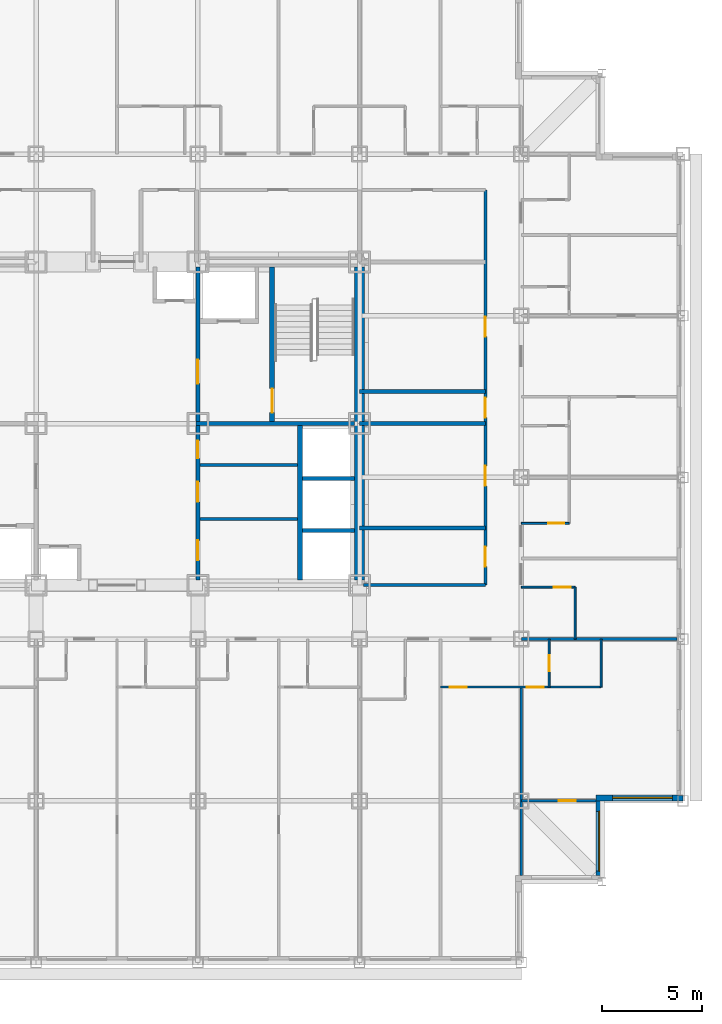
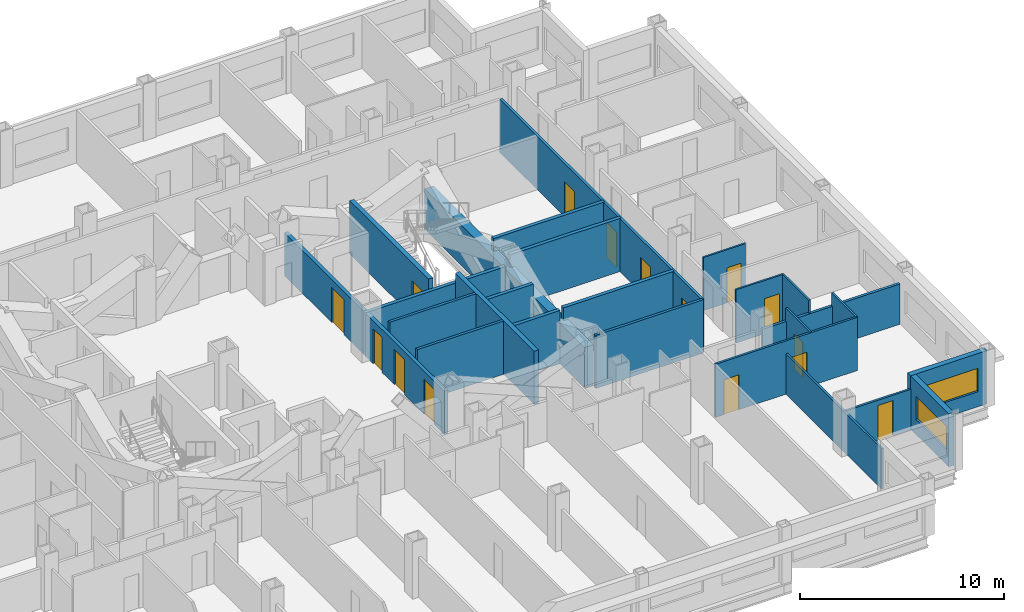
# One storey, part 7 of 12: 26 walls, 15 doors, 2 windows, 17 openings.
"""IFC4 building model written with IfcOpenShell, lengths in metres."""

from ifc_helpers import new_model, si_unit, direction, frame, frame_2d, origin, place, context, subcontext, project, spatial, rectangle, extrude, material, layer, layer_set, type_object, element, fill, save


model = new_model("IFC4")

# Units and contexts
model_context = context("Model", 3, precision=1e-05, world=origin(), true_north=direction((0.0, 1.0)))
body_context = subcontext(model_context, "Body", "Model", "MODEL_VIEW")
ifc_project = project(units=[si_unit("LENGTHUNIT", "METRE"), si_unit("AREAUNIT", "SQUARE_METRE"), si_unit("VOLUMEUNIT", "CUBIC_METRE"), si_unit("PLANEANGLEUNIT", "RADIAN"), si_unit("MASSUNIT", "GRAM", prefix="KILO")], contexts=[model_context])

# Site, building, storey
site_placement = place(None, origin())
site = spatial("IfcSite", under=ifc_project, at=site_placement, CompositionType="ELEMENT")
building_placement = place(site_placement, origin())
building = spatial("IfcBuilding", under=site, at=building_placement, Name="Kopane Lantern Tower", CompositionType="ELEMENT")
storey_placement = place(building_placement, frame((0.0, 0.0, 144.199951171875)))
storey = spatial("IfcBuildingStorey", under=building, at=storey_placement, Name="L37", CompositionType="ELEMENT", Elevation=144.199951171875)

# Wall, openings, doors
ifc_material_1 = material(Name="Gypsum board on steel studs", Category="steel")
ifc_layer_1 = layer(ifc_material_1, 0.1201171875)
ifc_layer_set_1 = layer_set([ifc_layer_1], Name="APARTMENT INTERNAL WALL 120")
wall_type_1 = type_object("IfcWallType", Name="APARTMENT INTERNAL WALL 120", PredefinedType="PARTITIONING", material=ifc_layer_set_1)
wall_1_placement = place(storey_placement, frame((44.550048828125, 19.199951171875, 0.0), z_axis=(0.0, 0.0, 1.0), x_axis=(1.0, 0.0, 0.0)))
wall_1 = element("IfcWall", 1, at=wall_1_placement, inside=storey, type_object=wall_type_1, Name="Apartment Internal Wall 120 L37", PredefinedType="PARTITIONING", context=body_context, shape_type="SweptSolid", body=[
    extrude(rectangle(XDim=8.050048828125, YDim=0.1201171875, at=frame_2d((4.02490234375, 0.0))), origin(), (0.0, 0.0, 1.0), 3.18994140625),
])
opening_1_placement = place(wall_1_placement, frame((0.47509765625, 0.0, 0.0)))
opening_1 = element("IfcOpeningElement", 2, at=opening_1_placement, cuts=wall_1, Name="Opening L37-062", PredefinedType="OPENING", context=body_context, shape_type="SweptSolid", body=[
    extrude(rectangle(XDim=0.85009765625, YDim=2.10009765625, at=frame_2d((0.425048828125, 1.050048828125))), frame((0.0, 0.070068359375, 0.0), z_axis=(0.0, -1.0, 0.0), x_axis=(1.0, 0.0, 0.0)), (0.0, 0.0, 1.0), 0.14013671875),
])
opening_2_placement = place(wall_1_placement, frame((4.324951171875, 0.0, 0.0)))
opening_2 = element("IfcOpeningElement", 3, at=opening_2_placement, cuts=wall_1, Name="Opening L37-064", PredefinedType="OPENING", context=body_context, shape_type="SweptSolid", body=[
    extrude(rectangle(XDim=0.85009765625, YDim=2.10009765625, at=frame_2d((0.425048828125, 1.050048828125))), frame((0.0, 0.070068359375, 0.0), z_axis=(0.0, -1.0, 0.0), x_axis=(1.0, 0.0, 0.0)), (0.0, 0.0, 1.0), 0.14013671875),
])
ifc_material_2 = material(Name="Timber door set", Category="wood")
door_type_1 = type_object("IfcDoorType", Name="DOOR D4 850x2100", OperationType="SINGLE_SWING_LEFT", PredefinedType="DOOR", material=ifc_material_2)
door_1_placement = place(opening_1_placement, origin())
door_1 = element("IfcDoor", 4, at=door_1_placement, inside=storey, type_object=door_type_1, Name="Door L37-062", OperationType="SINGLE_SWING_LEFT", OverallHeight=2.10009765625, OverallWidth=0.85009765625, PredefinedType="DOOR", context=body_context, shape_type="SweptSolid", body=[
    extrude(rectangle(XDim=0.85009765625, YDim=2.10009765625, at=frame_2d((0.425048828125, 1.050048828125))), frame((0.0, 0.02490234375, 0.0), z_axis=(0.0, -1.0, 0.0), x_axis=(1.0, 0.0, 0.0)), (0.0, 0.0, 1.0), 0.050048828125),
])
fill(opening_1, door_1)
door_2_placement = place(opening_2_placement, origin())
door_2 = element("IfcDoor", 5, at=door_2_placement, inside=storey, type_object=door_type_1, Name="Door L37-064", OperationType="SINGLE_SWING_RIGHT", OverallHeight=2.10009765625, OverallWidth=0.85009765625, PredefinedType="DOOR", context=body_context, shape_type="SweptSolid", body=[
    extrude(rectangle(XDim=0.85009765625, YDim=2.10009765625, at=frame_2d((0.425048828125, 1.050048828125))), frame((0.0, 0.02490234375, 0.0), z_axis=(0.0, -1.0, 0.0), x_axis=(1.0, 0.0, 0.0)), (0.0, 0.0, 1.0), 0.050048828125),
])
fill(opening_2, door_2)

# Wall
wall_2_placement = place(storey_placement, frame((48.60009765625, 19.199951171875, 0.0), z_axis=(0.0, 0.0, 1.0), x_axis=(0.0, -1.0, 0.0)))
element("IfcWall", 6, at=wall_2_placement, inside=storey, type_object=wall_type_1, Name="Apartment Internal Wall 120 L37", PredefinedType="PARTITIONING", context=body_context, shape_type="SweptSolid", body=[
    extrude(rectangle(XDim=9.449951171875, YDim=0.1201171875, at=frame_2d((4.72509765625, 0.0))), origin(), (0.0, 0.0, 1.0), 2.420166015625),
])

# Wall, opening, door
wall_3_placement = place(storey_placement, frame((48.60009765625, 13.5, 0.0), z_axis=(0.0, 0.0, 1.0), x_axis=(1.0, 0.0, 0.0)))
wall_3 = element("IfcWall", 7, at=wall_3_placement, inside=storey, type_object=wall_type_1, Name="Apartment Internal Wall 120 L37", PredefinedType="PARTITIONING", context=body_context, shape_type="SweptSolid", body=[
    extrude(rectangle(XDim=3.75, YDim=0.1201171875, at=frame_2d((1.875, 0.0))), origin(), (0.0, 0.0, 1.0), 2.420166015625),
])
opening_3_placement = place(wall_3_placement, frame((1.875, 0.0, 0.0)))
opening_3 = element("IfcOpeningElement", 8, at=opening_3_placement, cuts=wall_3, Name="Opening L37-065", PredefinedType="OPENING", context=body_context, shape_type="SweptSolid", body=[
    extrude(rectangle(XDim=0.85009765625, YDim=2.10009765625, at=frame_2d((0.425048828125, 1.050048828125))), frame((0.0, 0.070068359375, 0.0), z_axis=(0.0, -1.0, 0.0), x_axis=(1.0, 0.0, 0.0)), (0.0, 0.0, 1.0), 0.14013671875),
])
door_3_placement = place(opening_3_placement, origin())
door_3 = element("IfcDoor", 9, at=door_3_placement, inside=storey, type_object=door_type_1, Name="Door L37-065", OperationType="SINGLE_SWING_LEFT", OverallHeight=2.10009765625, OverallWidth=0.85009765625, PredefinedType="DOOR", context=body_context, shape_type="SweptSolid", body=[
    extrude(rectangle(XDim=0.85009765625, YDim=2.10009765625, at=frame_2d((0.425048828125, 1.050048828125))), frame((0.0, 0.02490234375, 0.0), z_axis=(0.0, -1.0, 0.0), x_axis=(1.0, 0.0, 0.0)), (0.0, 0.0, 1.0), 0.050048828125),
])
fill(opening_3, door_3)

# Wall
ifc_material_3 = material(Name="Moisture-resistant board on steel studs", Category="steel")
ifc_layer_2 = layer(ifc_material_3, 0.10009765625)
ifc_layer_set_2 = layer_set([ifc_layer_2], Name="BATHROOM WALL 100")
wall_type_2 = type_object("IfcWallType", Name="BATHROOM WALL 100", PredefinedType="PARTITIONING", material=ifc_layer_set_2)
wall_4_placement = place(storey_placement, frame((51.300048828125, 21.60009765625, 0.0), z_axis=(0.0, 0.0, 1.0), x_axis=(0.0, 1.0, 0.0)))
element("IfcWall", 10, at=wall_4_placement, inside=storey, type_object=wall_type_2, Name="Bathroom Wall 100 L37", PredefinedType="PARTITIONING", context=body_context, shape_type="SweptSolid", body=[
    extrude(rectangle(XDim=2.599853515625, YDim=0.10009765625, at=frame_2d((1.2998046875, 0.0))), origin(), (0.0, 0.0, 1.0), 3.18994140625),
])

# Wall, opening, door
wall_5_placement = place(storey_placement, frame((48.60009765625, 24.199951171875, 0.0), z_axis=(0.0, 0.0, 1.0), x_axis=(1.0, 0.0, 0.0)))
wall_5 = element("IfcWall", 11, at=wall_5_placement, inside=storey, type_object=wall_type_2, Name="Bathroom Wall 100 L37", PredefinedType="PARTITIONING", context=body_context, shape_type="SweptSolid", body=[
    extrude(rectangle(XDim=2.699951171875, YDim=0.10009765625, at=frame_2d((1.35009765625, 0.0))), origin(), (0.0, 0.0, 1.0), 3.18994140625),
])
opening_4_placement = place(wall_5_placement, frame((1.625, 0.0, 0.0)))
opening_4 = element("IfcOpeningElement", 12, at=opening_4_placement, cuts=wall_5, Name="Opening L37-045", PredefinedType="OPENING", context=body_context, shape_type="SweptSolid", body=[
    extrude(rectangle(XDim=0.85009765625, YDim=2.10009765625, at=frame_2d((0.425048828125, 1.050048828125))), frame((0.0, 0.06005859375, 0.0), z_axis=(0.0, -1.0, 0.0), x_axis=(1.0, 0.0, 0.0)), (0.0, 0.0, 1.0), 0.1201171875),
])
door_4_placement = place(opening_4_placement, origin())
door_4 = element("IfcDoor", 13, at=door_4_placement, inside=storey, type_object=door_type_1, Name="Door L37-045", OperationType="SINGLE_SWING_LEFT", OverallHeight=2.10009765625, OverallWidth=0.85009765625, PredefinedType="DOOR", context=body_context, shape_type="SweptSolid", body=[
    extrude(rectangle(XDim=0.85009765625, YDim=2.10009765625, at=frame_2d((0.425048828125, 1.050048828125))), frame((0.0, 0.02490234375, 0.0), z_axis=(0.0, -1.0, 0.0), x_axis=(1.0, 0.0, 0.0)), (0.0, 0.0, 1.0), 0.050048828125),
])
fill(opening_4, door_4)

wall_6_placement = place(storey_placement, frame((48.60009765625, 27.39990234375, 0.0), z_axis=(0.0, 0.0, 1.0), x_axis=(1.0, 0.0, 0.0)))
wall_6 = element("IfcWall", 14, at=wall_6_placement, inside=storey, type_object=wall_type_2, Name="Bathroom Wall 100 L37", PredefinedType="PARTITIONING", context=body_context, shape_type="SweptSolid", body=[
    extrude(rectangle(XDim=2.39990234375, YDim=0.10009765625, at=frame_2d((1.199951171875, 0.0))), origin(), (0.0, 0.0, 1.0), 3.18994140625),
])
opening_5_placement = place(wall_6_placement, frame((1.35009765625, 0.0, 0.0)))
opening_5 = element("IfcOpeningElement", 15, at=opening_5_placement, cuts=wall_6, Name="Opening L37-047", PredefinedType="OPENING", context=body_context, shape_type="SweptSolid", body=[
    extrude(rectangle(XDim=0.800048828125, YDim=2.10009765625, at=frame_2d((0.39990234375, 1.050048828125))), frame((0.0, 0.06005859375, 0.0), z_axis=(0.0, -1.0, 0.0), x_axis=(1.0, 0.0, 0.0)), (0.0, 0.0, 1.0), 0.1201171875),
])
ifc_material_4 = material(Name="Timber door set", Category="wood")
door_type_2 = type_object("IfcDoorType", Name="DOOR D2 800x2100", OperationType="SINGLE_SWING_LEFT", PredefinedType="DOOR", material=ifc_material_4)
door_5_placement = place(opening_5_placement, origin())
door_5 = element("IfcDoor", 16, at=door_5_placement, inside=storey, type_object=door_type_2, Name="Door L37-047", OperationType="SINGLE_SWING_RIGHT", OverallHeight=2.10009765625, OverallWidth=0.800048828125, PredefinedType="DOOR", context=body_context, shape_type="SweptSolid", body=[
    extrude(rectangle(XDim=0.800048828125, YDim=2.10009765625, at=frame_2d((0.39990234375, 1.050048828125))), frame((0.0, 0.02490234375, 0.0), z_axis=(0.0, -1.0, 0.0), x_axis=(1.0, 0.0, 0.0)), (0.0, 0.0, 1.0), 0.050048828125),
])
fill(opening_5, door_5)

wall_7_placement = place(storey_placement, frame((50.0, 21.60009765625, 0.0), z_axis=(0.0, 0.0, 1.0), x_axis=(0.0, -1.0, 0.0)))
wall_7 = element("IfcWall", 17, at=wall_7_placement, inside=storey, type_object=wall_type_2, Name="Bathroom Wall 100 L37", PredefinedType="PARTITIONING", context=body_context, shape_type="SweptSolid", body=[
    extrude(rectangle(XDim=2.400146484375, YDim=0.10009765625, at=frame_2d((1.2001953125, 0.0))), origin(), (0.0, 0.0, 1.0), 3.18994140625),
])
opening_6_placement = place(wall_7_placement, frame((0.800048828125, 0.0, 0.0)))
opening_6 = element("IfcOpeningElement", 18, at=opening_6_placement, cuts=wall_7, Name="Opening L37-063", PredefinedType="OPENING", context=body_context, shape_type="SweptSolid", body=[
    extrude(rectangle(XDim=0.800048828125, YDim=2.10009765625, at=frame_2d((0.39990234375, 1.050048828125))), frame((0.0, 0.06005859375, 0.0), z_axis=(0.0, -1.0, 0.0), x_axis=(1.0, 0.0, 0.0)), (0.0, 0.0, 1.0), 0.1201171875),
])
door_6_placement = place(opening_6_placement, origin())
door_6 = element("IfcDoor", 19, at=door_6_placement, inside=storey, type_object=door_type_2, Name="Door L37-063", OperationType="SINGLE_SWING_LEFT", OverallHeight=2.10009765625, OverallWidth=0.800048828125, PredefinedType="DOOR", context=body_context, shape_type="SweptSolid", body=[
    extrude(rectangle(XDim=0.800048828125, YDim=2.10009765625, at=frame_2d((0.39990234375, 1.050048828125))), frame((0.0, 0.02490234375, 0.0), z_axis=(0.0, -1.0, 0.0), x_axis=(1.0, 0.0, 0.0)), (0.0, 0.0, 1.0), 0.050048828125),
])
fill(opening_6, door_6)

# Walls
wall_8_placement = place(storey_placement, frame((52.60009765625, 21.60009765625, 0.0), z_axis=(0.0, 0.0, 1.0), x_axis=(0.0, -1.0, 0.0)))
element("IfcWall", 20, at=wall_8_placement, inside=storey, type_object=wall_type_2, Name="Bathroom Wall 100 L37", PredefinedType="PARTITIONING", context=body_context, shape_type="SweptSolid", body=[
    extrude(rectangle(XDim=2.400146484375, YDim=0.10009765625, at=frame_2d((1.2001953125, 0.0))), origin(), (0.0, 0.0, 1.0), 3.18994140625),
])
ifc_material_5 = material(Name="Gypsum shaft wall EI 120", Category="gypsum")
ifc_layer_3 = layer(ifc_material_5, 0.5)
ifc_layer_set_3 = layer_set([ifc_layer_3], Name="CORE PERIMETER WALL 500 EI 120")
wall_type_3 = type_object("IfcWallType", Name="CORE PERIMETER WALL 500 EI 120", PredefinedType="SOLIDWALL", material=ifc_layer_set_3)
wall_9_placement = place(storey_placement, frame((40.5, 24.550048828125, 0.0), z_axis=(0.0, 0.0, 1.0), x_axis=(0.0, 1.0, 0.0)))
element("IfcWall", 21, at=wall_9_placement, inside=storey, type_object=wall_type_3, Name="Core shaft wall L37 PE", PredefinedType="SOLIDWALL", context=body_context, shape_type="SweptSolid", body=[
    extrude(rectangle(XDim=15.699951171875, YDim=0.5, at=frame_2d((7.85009765625, 0.0))), origin(), (0.0, 0.0, 1.0), 2.420166015625),
])
ifc_material_6 = material(Name="Gypsum partition EI 60", Category="gypsum")
ifc_layer_4 = layer(ifc_material_6, 0.14990234375)
ifc_layer_set_4 = layer_set([ifc_layer_4], Name="CORE ROOM PARTITION 150 EI 60")
wall_type_4 = type_object("IfcWallType", Name="CORE ROOM PARTITION 150 EI 60", PredefinedType="PARTITIONING", material=ifc_layer_set_4)
for number, where, z_axis, x_axis, name in (
    (22, (32.5, 27.625, 0.0), (0.0, 0.0, 1.0), (1.0, 0.0, 0.0), "Core room partition L37 E1"),
    (23, (32.5, 30.324951171875, 0.0), (0.0, 0.0, 1.0), (1.0, 0.0, 0.0), "Core room partition L37 E2"),
):
    element("IfcWall", number, at=place(storey_placement, frame(where, z_axis=z_axis, x_axis=x_axis)), inside=storey, type_object=wall_type_4, Name=name, PredefinedType="PARTITIONING", context=body_context, shape_type="SweptSolid", body=[
        extrude(rectangle(XDim=4.89990234375, YDim=0.14990234375, at=frame_2d((2.449951171875, 0.0))), origin(), (0.0, 0.0, 1.0), 3.18994140625),
    ])

# Wall, openings, doors
ifc_material_7 = material(Name="Gypsum partition EI 60", Category="gypsum")
ifc_layer_5 = layer(ifc_material_7, 0.199951171875)
ifc_layer_set_5 = layer_set([ifc_layer_5], Name="CORE ROOM WALL 200 EI 60")
wall_type_5 = type_object("IfcWallType", Name="CORE ROOM WALL 200 EI 60", PredefinedType="PARTITIONING", material=ifc_layer_set_5)
wall_10_placement = place(storey_placement, frame((32.39990234375, 24.550048828125, 0.0), z_axis=(0.0, 0.0, 1.0), x_axis=(0.0, 1.0, 0.0)))
wall_10 = element("IfcWall", 24, at=wall_10_placement, inside=storey, type_object=wall_type_5, Name="Core room wall L37 XE", PredefinedType="PARTITIONING", context=body_context, shape_type="SweptSolid", body=[
    extrude(rectangle(XDim=7.75, YDim=0.199951171875, at=frame_2d((3.875, 0.0))), origin(), (0.0, 0.0, 1.0), 2.577880859375),
])
opening_7_placement = place(wall_10_placement, frame((1.0, 0.0, 0.0)))
opening_7 = element("IfcOpeningElement", 25, at=opening_7_placement, cuts=wall_10, Name="Opening 37.C20", PredefinedType="OPENING", context=body_context, shape_type="SweptSolid", body=[
    extrude(rectangle(XDim=1.0, YDim=2.10009765625, at=frame_2d((0.5, 1.050048828125))), frame((0.0, 0.10986328125, 0.0), z_axis=(0.0, -1.0, 0.0), x_axis=(1.0, 0.0, 0.0)), (0.0, 0.0, 1.0), 0.219970703125),
])
opening_8_placement = place(wall_10_placement, frame((3.925048828125, 0.0, 0.0)))
opening_8 = element("IfcOpeningElement", 26, at=opening_8_placement, cuts=wall_10, Name="Opening 37.C21", PredefinedType="OPENING", context=body_context, shape_type="SweptSolid", body=[
    extrude(rectangle(XDim=1.0, YDim=2.10009765625, at=frame_2d((0.5, 1.050048828125))), frame((0.0, 0.10986328125, 0.0), z_axis=(0.0, -1.0, 0.0), x_axis=(1.0, 0.0, 0.0)), (0.0, 0.0, 1.0), 0.219970703125),
])
opening_9_placement = place(wall_10_placement, frame((6.10009765625, 0.0, 0.0)))
opening_9 = element("IfcOpeningElement", 27, at=opening_9_placement, cuts=wall_10, Name="Opening 37.C22", PredefinedType="OPENING", context=body_context, shape_type="SweptSolid", body=[
    extrude(rectangle(XDim=0.89990234375, YDim=2.10009765625, at=frame_2d((0.449951171875, 1.050048828125))), frame((0.0, 0.10986328125, 0.0), z_axis=(0.0, -1.0, 0.0), x_axis=(1.0, 0.0, 0.0)), (0.0, 0.0, 1.0), 0.219970703125),
])
ifc_material_8 = material(Name="Steel door set", Category="steel")
door_type_3 = type_object("IfcDoorType", Name="CORE ROOM DOOR 1000x2100 FD30S", OperationType="SINGLE_SWING_RIGHT", PredefinedType="DOOR", material=ifc_material_8)
door_7_placement = place(opening_7_placement, origin())
door_7 = element("IfcDoor", 28, at=door_7_placement, inside=storey, type_object=door_type_3, Name="Door Butler pantry L37", OperationType="SINGLE_SWING_LEFT", OverallHeight=2.10009765625, OverallWidth=1.0, PredefinedType="DOOR", context=body_context, shape_type="SweptSolid", body=[
    extrude(rectangle(XDim=1.0, YDim=2.10009765625, at=frame_2d((0.5, 1.050048828125))), frame((0.0, 0.02490234375, 0.0), z_axis=(0.0, -1.0, 0.0), x_axis=(1.0, 0.0, 0.0)), (0.0, 0.0, 1.0), 0.050048828125),
])
fill(opening_7, door_7)
door_8_placement = place(opening_8_placement, origin())
door_8 = element("IfcDoor", 29, at=door_8_placement, inside=storey, type_object=door_type_3, Name="Door Ice and vending room L37", OperationType="SINGLE_SWING_LEFT", OverallHeight=2.10009765625, OverallWidth=1.0, PredefinedType="DOOR", context=body_context, shape_type="SweptSolid", body=[
    extrude(rectangle(XDim=1.0, YDim=2.10009765625, at=frame_2d((0.5, 1.050048828125))), frame((0.0, 0.02490234375, 0.0), z_axis=(0.0, -1.0, 0.0), x_axis=(1.0, 0.0, 0.0)), (0.0, 0.0, 1.0), 0.050048828125),
])
fill(opening_8, door_8)
ifc_material_9 = material(Name="Steel door set", Category="steel")
door_type_4 = type_object("IfcDoorType", Name="CORE ROOM DOOR 900x2100 FD60", OperationType="SINGLE_SWING_LEFT", PredefinedType="DOOR", material=ifc_material_9)
door_9_placement = place(opening_9_placement, origin())
door_9 = element("IfcDoor", 30, at=door_9_placement, inside=storey, type_object=door_type_4, Name="Door IT room L37", OperationType="SINGLE_SWING_RIGHT", OverallHeight=2.10009765625, OverallWidth=0.89990234375, PredefinedType="DOOR", context=body_context, shape_type="SweptSolid", body=[
    extrude(rectangle(XDim=0.89990234375, YDim=2.10009765625, at=frame_2d((0.449951171875, 1.050048828125))), frame((0.0, 0.02490234375, 0.0), z_axis=(0.0, -1.0, 0.0), x_axis=(1.0, 0.0, 0.0)), (0.0, 0.0, 1.0), 0.050048828125),
])
fill(opening_9, door_9)

# Wall
ifc_material_10 = material(Name="Gypsum shaft wall EI 120", Category="gypsum")
ifc_layer_6 = layer(ifc_material_10, 0.25)
ifc_layer_set_6 = layer_set([ifc_layer_6], Name="CORE SHAFT WALL 250 EI 120")
wall_type_6 = type_object("IfcWallType", Name="CORE SHAFT WALL 250 EI 120", PredefinedType="SOLIDWALL", material=ifc_layer_set_6)
wall_11_placement = place(storey_placement, frame((37.52490234375, 24.550048828125, 0.0), z_axis=(0.0, 0.0, 1.0), x_axis=(0.0, 1.0, 0.0)))
element("IfcWall", 31, at=wall_11_placement, inside=storey, type_object=wall_type_6, Name="Core shaft wall L37 XLR", PredefinedType="SOLIDWALL", context=body_context, shape_type="SweptSolid", body=[
    extrude(rectangle(XDim=7.75, YDim=0.25, at=frame_2d((3.875, 0.0))), origin(), (0.0, 0.0, 1.0), 3.18994140625),
])

# Wall, opening, door
wall_12_placement = place(storey_placement, frame((36.125, 32.5, 0.0), z_axis=(0.0, 0.0, 1.0), x_axis=(0.0, 1.0, 0.0)))
wall_12 = element("IfcWall", 32, at=wall_12_placement, inside=storey, type_object=wall_type_6, Name="Core shaft wall L37 XST2", PredefinedType="SOLIDWALL", context=body_context, shape_type="SweptSolid", body=[
    extrude(rectangle(XDim=7.75, YDim=0.25, at=frame_2d((3.875, 0.0))), origin(), (0.0, 0.0, 1.0), 3.18994140625),
])
opening_10_placement = place(wall_12_placement, frame((0.449951171875, 0.0, 0.0)))
opening_10 = element("IfcOpeningElement", 33, at=opening_10_placement, cuts=wall_12, Name="Opening 37.SD2", PredefinedType="OPENING", context=body_context, shape_type="SweptSolid", body=[
    extrude(rectangle(XDim=1.199951171875, YDim=2.10009765625, at=frame_2d((0.60009765625, 1.050048828125))), frame((0.0, 0.135009765625, 0.0), z_axis=(0.0, -1.0, 0.0), x_axis=(1.0, 0.0, 0.0)), (0.0, 0.0, 1.0), 0.27001953125),
])
ifc_material_11 = material(Name="Steel door set", Category="steel")
door_type_5 = type_object("IfcDoorType", Name="STAIR DOOR 1200x2100 FD60S", OperationType="SINGLE_SWING_LEFT", PredefinedType="DOOR", material=ifc_material_11)
door_10_placement = place(opening_10_placement, origin())
door_10 = element("IfcDoor", 34, at=door_10_placement, inside=storey, type_object=door_type_5, Name="Stair door ST2 L37", OperationType="SINGLE_SWING_RIGHT", OverallHeight=2.10009765625, OverallWidth=1.199951171875, PredefinedType="DOOR", context=body_context, shape_type="SweptSolid", body=[
    extrude(rectangle(XDim=1.199951171875, YDim=2.10009765625, at=frame_2d((0.60009765625, 1.050048828125))), frame((0.0, 0.02490234375, 0.0), z_axis=(0.0, -1.0, 0.0), x_axis=(1.0, 0.0, 0.0)), (0.0, 0.0, 1.0), 0.050048828125),
])
fill(opening_10, door_10)

# Wall, openings, doors
ifc_material_12 = material(Name="Gypsum board on steel studs", Category="steel")
ifc_layer_7 = layer(ifc_material_12, 0.14990234375)
ifc_layer_set_7 = layer_set([ifc_layer_7], Name="CORRIDOR WALL 150 EI 60")
wall_type_7 = type_object("IfcWallType", Name="CORRIDOR WALL 150 EI 60", PredefinedType="PARTITIONING", material=ifc_layer_set_7)
wall_13_placement = place(storey_placement, frame((46.800048828125, 24.300048828125, 0.0), z_axis=(0.0, 0.0, 1.0), x_axis=(0.0, 1.0, 0.0)))
wall_13 = element("IfcWall", 35, at=wall_13_placement, inside=storey, type_object=wall_type_7, Name="Corridor Wall 150 Ei 60 L37", PredefinedType="PARTITIONING", context=body_context, shape_type="SweptSolid", body=[
    extrude(rectangle(XDim=19.800048828125, YDim=0.14990234375, at=frame_2d((9.89990234375, 0.0))), origin(), (0.0, 0.0, 1.0), 3.18994140625),
])
opening_11_placement = place(wall_13_placement, frame((0.9287109375, 0.0, 0.0)))
opening_11 = element("IfcOpeningElement", 36, at=opening_11_placement, cuts=wall_13, Name="Opening L37-003", PredefinedType="OPENING", context=body_context, shape_type="SweptSolid", body=[
    extrude(rectangle(XDim=1.0, YDim=2.10009765625, at=frame_2d((0.5, 1.050048828125))), frame((0.0, 0.0849609375, 0.0), z_axis=(0.0, -1.0, 0.0), x_axis=(1.0, 0.0, 0.0)), (0.0, 0.0, 1.0), 0.169921875),
])
opening_12_placement = place(wall_13_placement, frame((4.978515625, 0.0, 0.0)))
opening_12 = element("IfcOpeningElement", 37, at=opening_12_placement, cuts=wall_13, Name="Opening L37-004", PredefinedType="OPENING", context=body_context, shape_type="SweptSolid", body=[
    extrude(rectangle(XDim=1.0, YDim=2.10009765625, at=frame_2d((0.5, 1.050048828125))), frame((0.0, 0.0849609375, 0.0), z_axis=(0.0, -1.0, 0.0), x_axis=(1.0, 0.0, 0.0)), (0.0, 0.0, 1.0), 0.169921875),
])
opening_13_placement = place(wall_13_placement, frame((8.39990234375, 0.0, 0.0)))
opening_13 = element("IfcOpeningElement", 38, at=opening_13_placement, cuts=wall_13, Name="Opening L37-005", PredefinedType="OPENING", context=body_context, shape_type="SweptSolid", body=[
    extrude(rectangle(XDim=1.0, YDim=2.10009765625, at=frame_2d((0.5, 1.050048828125))), frame((0.0, 0.0849609375, 0.0), z_axis=(0.0, -1.0, 0.0), x_axis=(1.0, 0.0, 0.0)), (0.0, 0.0, 1.0), 0.169921875),
])
opening_14_placement = place(wall_13_placement, frame((12.449951171875, 0.0, 0.0)))
opening_14 = element("IfcOpeningElement", 39, at=opening_14_placement, cuts=wall_13, Name="Opening L37-006", PredefinedType="OPENING", context=body_context, shape_type="SweptSolid", body=[
    extrude(rectangle(XDim=1.0, YDim=2.10009765625, at=frame_2d((0.5, 1.050048828125))), frame((0.0, 0.0849609375, 0.0), z_axis=(0.0, -1.0, 0.0), x_axis=(1.0, 0.0, 0.0)), (0.0, 0.0, 1.0), 0.169921875),
])
ifc_material_13 = material(Name="Steel door set", Category="steel")
door_type_6 = type_object("IfcDoorType", Name="DOOR D5 1000x2100 FD60", OperationType="SINGLE_SWING_LEFT", PredefinedType="DOOR", material=ifc_material_13)
door_11_placement = place(opening_11_placement, origin())
door_11 = element("IfcDoor", 40, at=door_11_placement, inside=storey, type_object=door_type_6, Name="Door L37-003", OperationType="SINGLE_SWING_LEFT", OverallHeight=2.10009765625, OverallWidth=1.0, PredefinedType="DOOR", context=body_context, shape_type="SweptSolid", body=[
    extrude(rectangle(XDim=1.0, YDim=2.10009765625, at=frame_2d((0.5, 1.050048828125))), frame((0.0, 0.02490234375, 0.0), z_axis=(0.0, -1.0, 0.0), x_axis=(1.0, 0.0, 0.0)), (0.0, 0.0, 1.0), 0.050048828125),
])
fill(opening_11, door_11)
door_12_placement = place(opening_12_placement, origin())
door_12 = element("IfcDoor", 41, at=door_12_placement, inside=storey, type_object=door_type_6, Name="Door L37-004", OperationType="SINGLE_SWING_RIGHT", OverallHeight=2.10009765625, OverallWidth=1.0, PredefinedType="DOOR", context=body_context, shape_type="SweptSolid", body=[
    extrude(rectangle(XDim=1.0, YDim=2.10009765625, at=frame_2d((0.5, 1.050048828125))), frame((0.0, 0.02490234375, 0.0), z_axis=(0.0, -1.0, 0.0), x_axis=(1.0, 0.0, 0.0)), (0.0, 0.0, 1.0), 0.050048828125),
])
fill(opening_12, door_12)
door_13_placement = place(opening_13_placement, origin())
door_13 = element("IfcDoor", 42, at=door_13_placement, inside=storey, type_object=door_type_6, Name="Door L37-005", OperationType="SINGLE_SWING_LEFT", OverallHeight=2.10009765625, OverallWidth=1.0, PredefinedType="DOOR", context=body_context, shape_type="SweptSolid", body=[
    extrude(rectangle(XDim=1.0, YDim=2.10009765625, at=frame_2d((0.5, 1.050048828125))), frame((0.0, 0.02490234375, 0.0), z_axis=(0.0, -1.0, 0.0), x_axis=(1.0, 0.0, 0.0)), (0.0, 0.0, 1.0), 0.050048828125),
])
fill(opening_13, door_13)
door_14_placement = place(opening_14_placement, origin())
door_14 = element("IfcDoor", 43, at=door_14_placement, inside=storey, type_object=door_type_6, Name="Door L37-006", OperationType="SINGLE_SWING_RIGHT", OverallHeight=2.10009765625, OverallWidth=1.0, PredefinedType="DOOR", context=body_context, shape_type="SweptSolid", body=[
    extrude(rectangle(XDim=1.0, YDim=2.10009765625, at=frame_2d((0.5, 1.050048828125))), frame((0.0, 0.02490234375, 0.0), z_axis=(0.0, -1.0, 0.0), x_axis=(1.0, 0.0, 0.0)), (0.0, 0.0, 1.0), 0.050048828125),
])
fill(opening_14, door_14)

# Walls
wall_14_placement = place(storey_placement, frame((40.699951171875, 24.300048828125, 0.0), z_axis=(0.0, 0.0, 1.0), x_axis=(1.0, 0.0, 0.0)))
element("IfcWall", 44, at=wall_14_placement, inside=storey, type_object=wall_type_7, Name="Corridor Wall 150 Ei 60 L37", PredefinedType="PARTITIONING", context=body_context, shape_type="SweptSolid", body=[
    extrude(rectangle(XDim=6.10009765625, YDim=0.14990234375, at=frame_2d((3.050048828125, 0.0))), origin(), (0.0, 0.0, 1.0), 3.18994140625),
])
ifc_material_14 = material(Name="Gypsum board on steel studs", Category="steel")
ifc_layer_8 = layer(ifc_material_14, 0.14990234375)
ifc_layer_set_8 = layer_set([ifc_layer_8], Name="DEMISING WALL 150 EI 60")
wall_type_8 = type_object("IfcWallType", Name="DEMISING WALL 150 EI 60", PredefinedType="PARTITIONING", material=ifc_layer_set_8)
wall_15_placement = place(storey_placement, frame((48.60009765625, 21.60009765625, 0.0), z_axis=(0.0, 0.0, 1.0), x_axis=(1.0, 0.0, 0.0)))
element("IfcWall", 45, at=wall_15_placement, inside=storey, type_object=wall_type_8, Name="Demising Wall 150 Ei 60 L37", PredefinedType="PARTITIONING", context=body_context, shape_type="SweptSolid", body=[
    extrude(rectangle(XDim=7.7998046875, YDim=0.14990234375, at=frame_2d((3.89990234375, 0.0))), origin(), (0.0, 0.0, 1.0), 2.420166015625),
])

# Wall, opening, window
ifc_material_15 = material(Name="Terracotta rainscreen on light steel framing", Category="masonry")
ifc_layer_9 = layer(ifc_material_15, 0.300048828125)
ifc_layer_set_9 = layer_set([ifc_layer_9], Name="EXTERNAL WALL EW1 300 TERRACOTTA")
wall_type_9 = type_object("IfcWallType", Name="EXTERNAL WALL EW1 300 TERRACOTTA", PredefinedType="SOLIDWALL", material=ifc_layer_set_9)
wall_16_placement = place(storey_placement, frame((52.5, 9.75, 0.0), z_axis=(0.0, 0.0, 1.0), x_axis=(0.0, 1.0, 0.0)))
wall_16 = element("IfcWall", 46, at=wall_16_placement, inside=storey, type_object=wall_type_9, Name="External wall E L37", PredefinedType="SOLIDWALL", context=body_context, shape_type="SweptSolid", body=[
    extrude(rectangle(XDim=3.75, YDim=0.300048828125, at=frame_2d((1.875, 0.0))), origin(), (0.0, 0.0, 1.0), 3.18994140625),
])
opening_15_placement = place(wall_16_placement, frame((0.22509765625, 0.0, 0.89990234375)))
opening_15 = element("IfcOpeningElement", 47, at=opening_15_placement, cuts=wall_16, Name="Opening WR300140", PredefinedType="OPENING", context=body_context, shape_type="SweptSolid", body=[
    extrude(rectangle(XDim=3.0, YDim=1.39990234375, at=frame_2d((1.5, 0.699951171875))), frame((0.0, 0.159912109375, 0.0), z_axis=(0.0, -1.0, 0.0), x_axis=(1.0, 0.0, 0.0)), (0.0, 0.0, 1.0), 0.320068359375),
])
ifc_material_16 = material(Name="Aluminium and clear glass", Category="aluminium")
window_type = type_object("IfcWindowType", Name="RIBBON WINDOW WR300140 3000x1400", PartitioningType="SINGLE_PANEL", PredefinedType="WINDOW", material=ifc_material_16)
window_1_placement = place(opening_15_placement, origin())
window_1 = element("IfcWindow", 48, at=window_1_placement, inside=storey, type_object=window_type, Name="Window E L37", OverallHeight=1.39990234375, OverallWidth=3.0, PartitioningType="SINGLE_PANEL", PredefinedType="WINDOW", context=body_context, shape_type="SweptSolid", body=[
    extrude(rectangle(XDim=3.0, YDim=1.39990234375, at=frame_2d((1.5, 0.699951171875))), frame((0.0, 0.030029296875, 0.0), z_axis=(0.0, -1.0, 0.0), x_axis=(1.0, 0.0, 0.0)), (0.0, 0.0, 1.0), 0.06005859375),
])
fill(opening_15, window_1)

wall_17_placement = place(storey_placement, frame((52.35009765625, 13.64990234375, 0.0), z_axis=(0.0, 0.0, 1.0), x_axis=(1.0, 0.0, 0.0)))
wall_17 = element("IfcWall", 49, at=wall_17_placement, inside=storey, type_object=wall_type_9, Name="External wall S L37", PredefinedType="SOLIDWALL", context=body_context, shape_type="SweptSolid", body=[
    extrude(rectangle(XDim=4.349853515625, YDim=0.300048828125, at=frame_2d((2.1748046875, 0.0))), origin(), (0.0, 0.0, 1.0), 3.18994140625),
])
opening_16_placement = place(wall_17_placement, frame((0.824951171875, 0.0, 0.89990234375)))
opening_16 = element("IfcOpeningElement", 50, at=opening_16_placement, cuts=wall_17, Name="Opening WR300140", PredefinedType="OPENING", context=body_context, shape_type="SweptSolid", body=[
    extrude(rectangle(XDim=3.0, YDim=1.39990234375, at=frame_2d((1.5, 0.699951171875))), frame((0.0, 0.159912109375, 0.0), z_axis=(0.0, -1.0, 0.0), x_axis=(1.0, 0.0, 0.0)), (0.0, 0.0, 1.0), 0.320068359375),
])
window_2_placement = place(opening_16_placement, origin())
window_2 = element("IfcWindow", 51, at=window_2_placement, inside=storey, type_object=window_type, Name="Window S L37", OverallHeight=1.39990234375, OverallWidth=3.0, PartitioningType="SINGLE_PANEL", PredefinedType="WINDOW", context=body_context, shape_type="SweptSolid", body=[
    extrude(rectangle(XDim=3.0, YDim=1.39990234375, at=frame_2d((1.5, 0.699951171875))), frame((0.0, 0.030029296875, 0.0), z_axis=(0.0, -1.0, 0.0), x_axis=(1.0, 0.0, 0.0)), (0.0, 0.0, 1.0), 0.06005859375),
])
fill(opening_16, window_2)

# Walls
ifc_material_17 = material(Name="Concrete masonry", Category="masonry")
ifc_layer_10 = layer(ifc_material_17, 0.199951171875)
ifc_layer_set_10 = layer_set([ifc_layer_10], Name="PLANT ROOM WALL 200 EI 120")
wall_type_10 = type_object("IfcWallType", Name="PLANT ROOM WALL 200 EI 120", PredefinedType="SOLIDWALL", material=ifc_layer_set_10)
for number, where, z_axis, x_axis, name in (
    (52, (40.5, 32.39990234375, 0.0), (0.0, 0.0, 1.0), (1.0, 0.0, 0.0), "Plant Room Wall 200 Ei 120 L37"),
    (53, (46.800048828125, 27.156982421875, 0.0), (0.0, 0.0, 1.0), (-1.0, 0.0, 0.0), "Plant Room Wall 200 Ei 120 L37"),
    (54, (46.800048828125, 34.0, 0.0), (0.0, 0.0, 1.0), (-1.0, 0.0, 0.0), "Plant Room Wall 200 Ei 120 L37"),
):
    element("IfcWall", number, at=place(storey_placement, frame(where, z_axis=z_axis, x_axis=x_axis)), inside=storey, type_object=wall_type_10, Name=name, PredefinedType="SOLIDWALL", context=body_context, shape_type="SweptSolid", body=[
        extrude(rectangle(XDim=6.300048828125, YDim=0.199951171875, at=frame_2d((3.14990234375, 0.0))), origin(), (0.0, 0.0, 1.0), 3.18994140625),
    ])
ifc_material_18 = material(Name="Gypsum shaft wall EI 120", Category="gypsum")
ifc_layer_11 = layer(ifc_material_18, 0.199951171875)
ifc_layer_set_11 = layer_set([ifc_layer_11], Name="SHAFT WALL 200 EI 120")
wall_type_11 = type_object("IfcWallType", Name="SHAFT WALL 200 EI 120", PredefinedType="SOLIDWALL", material=ifc_layer_set_11)
wall_18_placement = place(storey_placement, frame((32.300048828125, 32.39990234375, 0.0), z_axis=(0.0, 0.0, 1.0), x_axis=(1.0, 0.0, 0.0)))
element("IfcWall", 55, at=wall_18_placement, inside=storey, type_object=wall_type_11, Name="Core shaft wall L37 Y324E", PredefinedType="SOLIDWALL", context=body_context, shape_type="SweptSolid", body=[
    extrude(rectangle(XDim=7.949951171875, YDim=0.199951171875, at=frame_2d((3.97509765625, 0.0))), origin(), (0.0, 0.0, 1.0), 2.577880859375),
])

# Wall, opening, door
wall_19_placement = place(storey_placement, frame((32.39990234375, 32.5, 0.0), z_axis=(0.0, 0.0, 1.0), x_axis=(0.0, 1.0, 0.0)))
wall_19 = element("IfcWall", 56, at=wall_19_placement, inside=storey, type_object=wall_type_11, Name="Core shaft wall L37 X324", PredefinedType="SOLIDWALL", context=body_context, shape_type="SweptSolid", body=[
    extrude(rectangle(XDim=7.75, YDim=0.199951171875, at=frame_2d((3.875, 0.0))), origin(), (0.0, 0.0, 1.0), 2.577880859375),
])
opening_17_placement = place(wall_19_placement, frame((1.89990234375, 0.0, 0.0)))
opening_17 = element("IfcOpeningElement", 57, at=opening_17_placement, cuts=wall_19, Name="Opening 37.FL2", PredefinedType="OPENING", context=body_context, shape_type="SweptSolid", body=[
    extrude(rectangle(XDim=1.199951171875, YDim=2.10009765625, at=frame_2d((0.60009765625, 1.050048828125))), frame((0.0, 0.10986328125, 0.0), z_axis=(0.0, -1.0, 0.0), x_axis=(1.0, 0.0, 0.0)), (0.0, 0.0, 1.0), 0.219970703125),
])
ifc_material_19 = material(Name="Steel door set", Category="steel")
door_type_7 = type_object("IfcDoorType", Name="FIREFIGHTING LOBBY DOOR 1200x2100 FD60S", OperationType="SINGLE_SWING_RIGHT", PredefinedType="DOOR", material=ifc_material_19)
door_15_placement = place(opening_17_placement, origin())
door_15 = element("IfcDoor", 58, at=door_15_placement, inside=storey, type_object=door_type_7, Name="Firefighting lobby door FL2 L37", OperationType="SINGLE_SWING_LEFT", OverallHeight=2.10009765625, OverallWidth=1.199951171875, PredefinedType="DOOR", context=body_context, shape_type="SweptSolid", body=[
    extrude(rectangle(XDim=1.199951171875, YDim=2.10009765625, at=frame_2d((0.60009765625, 1.050048828125))), frame((0.0, 0.02490234375, 0.0), z_axis=(0.0, -1.0, 0.0), x_axis=(1.0, 0.0, 0.0)), (0.0, 0.0, 1.0), 0.050048828125),
])
fill(opening_17, door_15)

# Walls
for number, where, z_axis, x_axis, name in (
    (59, (37.64990234375, 27.050048828125, 0.0), (0.0, 0.0, 1.0), (1.0, 0.0, 0.0), "Core shaft wall L37 YLR12"),
    (60, (37.64990234375, 29.64990234375, 0.0), (0.0, 0.0, 1.0), (1.0, 0.0, 0.0), "Core shaft wall L37 YLR23"),
):
    element("IfcWall", number, at=place(storey_placement, frame(where, z_axis=z_axis, x_axis=x_axis)), inside=storey, type_object=wall_type_11, Name=name, PredefinedType="SOLIDWALL", context=body_context, shape_type="SweptSolid", body=[
        extrude(rectangle(XDim=2.60009765625, YDim=0.199951171875, at=frame_2d((1.300048828125, 0.0))), origin(), (0.0, 0.0, 1.0), 3.18994140625),
    ])

save(model, "model.ifc")
